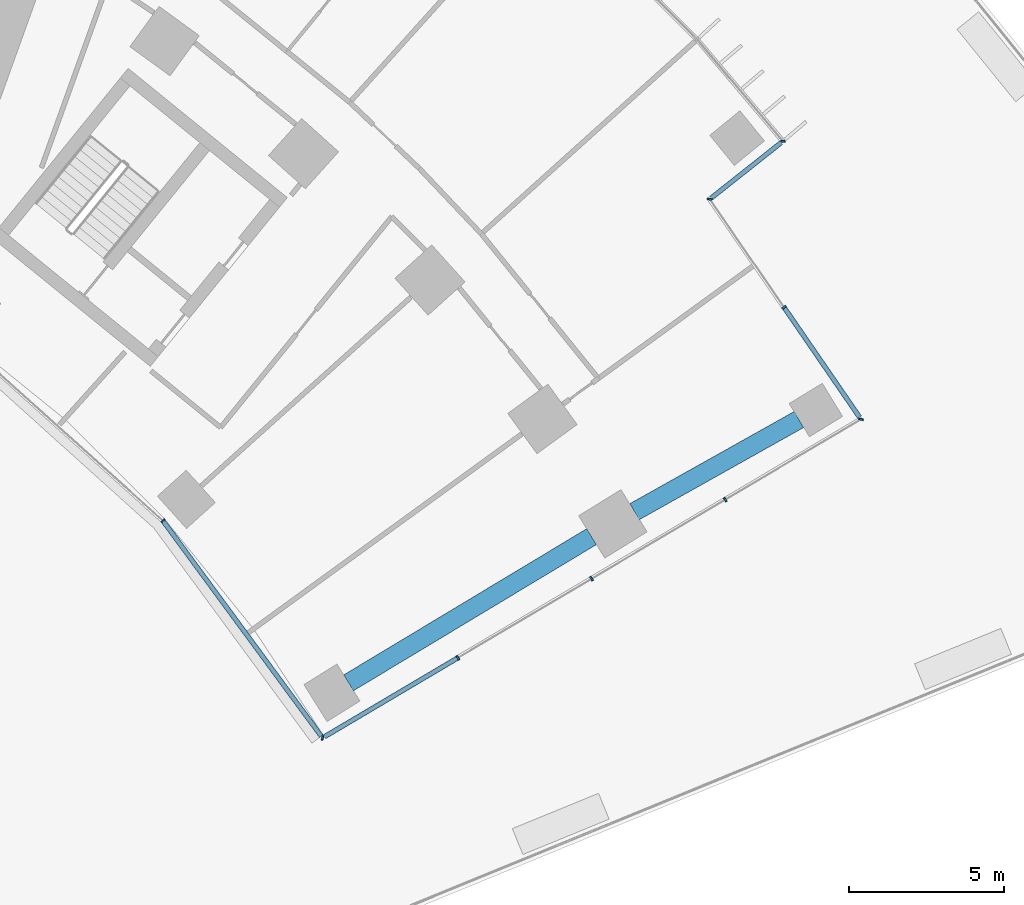
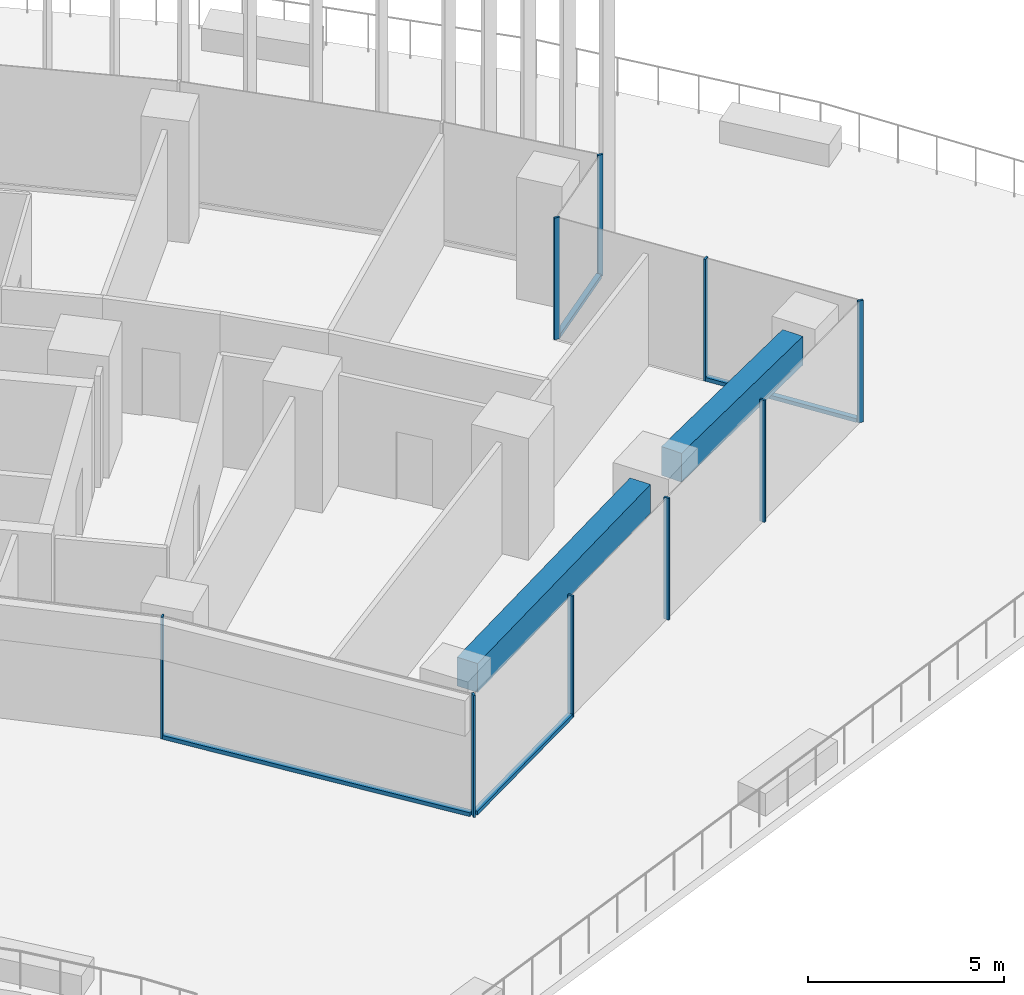
# One storey, part 8 of 24: 13 members, 2 beams, 5 elements without a shape of their own.
"""IFC4 building model written with IfcOpenShell, lengths in metres."""

from ifc_helpers import new_model, si_unit, direction, frame, origin, origin_2d, place, context, subcontext, project, spatial, rectangle, extrude, material, layer, layer_set, material_profile, profile_set, type_object, element, aggregate, save


model = new_model("IFC4")

# Units and contexts
model_context = context("Model", 3, precision=1e-05, world=origin(), true_north=direction((0.0, 1.0)))
body_context = subcontext(model_context, "Body", "Model", "MODEL_VIEW")
ifc_project = project(units=[si_unit("LENGTHUNIT", "METRE"), si_unit("AREAUNIT", "SQUARE_METRE"), si_unit("VOLUMEUNIT", "CUBIC_METRE"), si_unit("PLANEANGLEUNIT", "RADIAN"), si_unit("MASSUNIT", "GRAM", prefix="KILO")], contexts=[model_context])

# Site, building, storey
site_placement = place(None, origin())
site = spatial("IfcSite", under=ifc_project, at=site_placement, CompositionType="ELEMENT")
building_placement = place(site_placement, origin())
building = spatial("IfcBuilding", under=site, at=building_placement, Name="Stone Belt Terrace Tower", CompositionType="ELEMENT")
storey_placement = place(building_placement, frame((0.0, 0.0, 30.0)))
storey = spatial("IfcBuildingStorey", under=building, at=storey_placement, Name="L06", CompositionType="ELEMENT", Elevation=30.0)

# Curtain wall, member
ifc_material_1 = material(Name="Aluminium 6063-T6 anodised frame", Category="aluminium")
ifc_layer_1 = layer(ifc_material_1, 0.14990234375)
ifc_layer_set_1 = layer_set([ifc_layer_1], Name="CW-A unitised convex-face curtain wall")
curtain_wall_type_1 = type_object("IfcCurtainWallType", Name="CW-A unitised convex-face curtain wall", PredefinedType="NOTDEFINED", material=ifc_layer_set_1)
curtain_wall_1_placement = place(storey_placement, origin())
curtain_wall_1 = element("IfcCurtainWall", 1, at=curtain_wall_1_placement, inside=storey, type_object=curtain_wall_type_1, Name="CW-A convex face L06", PredefinedType="NOTDEFINED")
ifc_material_profile_1 = material_profile(ifc_material_1, rectangle(XDim=0.14990234375, YDim=0.06005859375, at=origin_2d()), Name="Aluminium 6063-T6 60x150")
ifc_profile_set_1 = profile_set([ifc_material_profile_1], Name="Aluminium 6063-T6 anodised frame")
member_type_1 = type_object("IfcMemberType", Name="CW-A mullion 60 x 150", PredefinedType="MULLION", material=ifc_profile_set_1)
member_1_placement = place(storey_placement, frame((52.24072265625, 41.27294921875, 0.0), z_axis=(0.0, 0.0, 1.0), x_axis=(-0.995023084308, 0.099644677203, 0.0)))
member_1 = element("IfcMember", 2, at=member_1_placement, type_object=member_type_1, Name="CW-A mullion 1", PredefinedType="MULLION", context=body_context, shape_type="SweptSolid", body=[
    extrude(rectangle(XDim=0.14990234375, YDim=0.06005859375, at=origin_2d()), origin(), (0.0, 0.0, 1.0), 3.800048828125),
])
aggregate(curtain_wall_1, [member_1])

# Curtain wall, members
ifc_layer_2 = layer(ifc_material_1, 0.14990234375)
ifc_layer_set_2 = layer_set([ifc_layer_2], Name="CW-B unitised concave-face curtain wall")
curtain_wall_type_2 = type_object("IfcCurtainWallType", Name="CW-B unitised concave-face curtain wall", PredefinedType="NOTDEFINED", material=ifc_layer_set_2)
curtain_wall_2_placement = place(storey_placement, origin())
curtain_wall_2 = element("IfcCurtainWall", 3, at=curtain_wall_2_placement, inside=storey, type_object=curtain_wall_type_2, Name="CW-B concave face L06", PredefinedType="NOTDEFINED")
ifc_material_profile_2 = material_profile(ifc_material_1, rectangle(XDim=0.14990234375, YDim=0.050048828125, at=origin_2d()), Name="Aluminium 6063-T6 50x150")
ifc_profile_set_2 = profile_set([ifc_material_profile_2], Name="Aluminium 6063-T6 anodised frame")
member_type_2 = type_object("IfcMemberType", Name="CW-B mullion 50 x 150", PredefinedType="MULLION", material=ifc_profile_set_2)
member_2_placement = place(storey_placement, frame((32.27099609375, 29.056640625, 0.0), z_axis=(0.0, 0.0, 1.0), x_axis=(0.741329775891, 0.671140941515, 0.0)))
member_2 = element("IfcMember", 4, at=member_2_placement, type_object=member_type_2, Name="CW-B mullion 10", PredefinedType="MULLION", context=body_context, shape_type="SweptSolid", body=[
    extrude(rectangle(XDim=0.14990234375, YDim=0.050048828125, at=origin_2d()), origin(), (0.0, 0.0, 1.0), 3.800048828125),
])
ifc_material_profile_3 = material_profile(ifc_material_1, rectangle(XDim=0.14990234375, YDim=0.1201171875, at=origin_2d()), Name="Aluminium 6063-T6 150x120")
ifc_profile_set_3 = profile_set([ifc_material_profile_3], Name="Aluminium 6063-T6 anodised frame")
member_type_3 = type_object("IfcMemberType", Name="CW-B transom 120 x 150", PredefinedType="USERDEFINED", material=ifc_profile_set_3)
member_3_placement = place(storey_placement, frame((32.2900390625, 29.0302734375, 0.06005859375), z_axis=(0.592180847905, -0.805805090189, 0.0), x_axis=(0.805805090189, 0.592180847905, 0.0)))
member_3 = element("IfcMember", 5, at=member_3_placement, type_object=member_type_3, Name="CW-B transom 10.1", ObjectType="TRANSOM", PredefinedType="USERDEFINED", context=body_context, shape_type="SweptSolid", body=[
    extrude(rectangle(XDim=0.14990234375, YDim=0.1201171875, at=origin_2d()), origin(), (0.0, 0.0, 1.0), 8.583984375),
])
aggregate(curtain_wall_2, [member_2, member_3])

ifc_layer_3 = layer(ifc_material_1, 0.14990234375)
ifc_layer_set_3 = layer_set([ifc_layer_3], Name="CW-C stick curtain wall, horn ends and notches")
curtain_wall_type_3 = type_object("IfcCurtainWallType", Name="CW-C stick curtain wall, horn ends and notches", PredefinedType="NOTDEFINED", material=ifc_layer_set_3)
curtain_wall_3_placement = place(storey_placement, origin())
curtain_wall_3 = element("IfcCurtainWall", 6, at=curtain_wall_3_placement, inside=storey, type_object=curtain_wall_type_3, Name="CW-C end face L06", PredefinedType="NOTDEFINED")
ifc_material_profile_4 = material_profile(ifc_material_1, rectangle(XDim=0.14990234375, YDim=0.06005859375, at=origin_2d()), Name="Aluminium 6063-T6 60x150")
ifc_profile_set_4 = profile_set([ifc_material_profile_4], Name="Aluminium 6063-T6 anodised frame")
member_type_4 = type_object("IfcMemberType", Name="CW-C mullion 60 x 150", PredefinedType="MULLION", material=ifc_profile_set_4)
member_4_placement = place(storey_placement, frame((37.4140625, 22.0576171875, 0.0), z_axis=(0.0, 0.0, 1.0), x_axis=(0.199957039009, 0.979804665508, 0.0)))
member_4 = element("IfcMember", 7, at=member_4_placement, type_object=member_type_4, Name="CW-C mullion 1", PredefinedType="MULLION", context=body_context, shape_type="SweptSolid", body=[
    extrude(rectangle(XDim=0.14990234375, YDim=0.06005859375, at=origin_2d()), origin(), (0.0, 0.0, 1.0), 3.800048828125),
])
member_5_placement = place(storey_placement, frame((41.775146484375, 24.63916015625, 0.0), z_axis=(0.0, 0.0, 1.0), x_axis=(-0.509352918793, 0.860557728521, 0.0)))
member_5 = element("IfcMember", 8, at=member_5_placement, type_object=member_type_4, Name="CW-C mullion 2", PredefinedType="MULLION", context=body_context, shape_type="SweptSolid", body=[
    extrude(rectangle(XDim=0.14990234375, YDim=0.06005859375, at=origin_2d()), origin(), (0.0, 0.0, 1.0), 3.800048828125),
])
member_6_placement = place(storey_placement, frame((46.078125, 27.185791015625, 0.0), z_axis=(0.0, 0.0, 1.0), x_axis=(-0.509352918793, 0.860557728521, 0.0)))
member_6 = element("IfcMember", 9, at=member_6_placement, type_object=member_type_4, Name="CW-C mullion 3", PredefinedType="MULLION", context=body_context, shape_type="SweptSolid", body=[
    extrude(rectangle(XDim=0.14990234375, YDim=0.06005859375, at=origin_2d()), origin(), (0.0, 0.0, 1.0), 3.800048828125),
])
member_7_placement = place(storey_placement, frame((50.380859375, 29.732666015625, 0.0), z_axis=(0.0, 0.0, 1.0), x_axis=(-0.509352918793, 0.860557728521, 0.0)))
member_7 = element("IfcMember", 10, at=member_7_placement, type_object=member_type_4, Name="CW-C mullion 4", PredefinedType="MULLION", context=body_context, shape_type="SweptSolid", body=[
    extrude(rectangle(XDim=0.14990234375, YDim=0.06005859375, at=origin_2d()), origin(), (0.0, 0.0, 1.0), 3.800048828125),
])

curtain_wall_4_placement = place(storey_placement, origin())
curtain_wall_4 = element("IfcCurtainWall", 11, at=curtain_wall_4_placement, inside=storey, type_object=curtain_wall_type_3, Name="CW-C notch face L06", PredefinedType="NOTDEFINED")
member_8_placement = place(storey_placement, frame((54.752685546875, 32.3203125, 0.0), z_axis=(0.0, 0.0, 1.0), x_axis=(-0.976519557331, 0.215428768157, 0.0)))
member_8 = element("IfcMember", 12, at=member_8_placement, type_object=member_type_4, Name="CW-C mullion 1", PredefinedType="MULLION", context=body_context, shape_type="SweptSolid", body=[
    extrude(rectangle(XDim=0.14990234375, YDim=0.06005859375, at=origin_2d()), origin(), (0.0, 0.0, 1.0), 3.800048828125),
])
member_9_placement = place(storey_placement, frame((52.275390625, 35.925048828125, 0.0), z_axis=(0.0, 0.0, 1.0), x_axis=(-0.824146991357, -0.566375967567, 0.0)))
member_9 = element("IfcMember", 13, at=member_9_placement, type_object=member_type_4, Name="CW-C mullion 2", PredefinedType="MULLION", context=body_context, shape_type="SweptSolid", body=[
    extrude(rectangle(XDim=0.14990234375, YDim=0.06005859375, at=origin_2d()), origin(), (0.0, 0.0, 1.0), 3.800048828125),
])

# Curtain wall, member
curtain_wall_5_placement = place(storey_placement, origin())
curtain_wall_5 = element("IfcCurtainWall", 14, at=curtain_wall_5_placement, inside=storey, type_object=curtain_wall_type_3, Name="CW-C notch face L06", PredefinedType="NOTDEFINED")
member_10_placement = place(storey_placement, frame((49.88330078125, 39.406005859375, 0.0), z_axis=(0.0, 0.0, 1.0), x_axis=(-0.988851375203, 0.14890586879, 0.0)))
member_10 = element("IfcMember", 15, at=member_10_placement, type_object=member_type_4, Name="CW-C mullion 1", PredefinedType="MULLION", context=body_context, shape_type="SweptSolid", body=[
    extrude(rectangle(XDim=0.14990234375, YDim=0.06005859375, at=origin_2d()), origin(), (0.0, 0.0, 1.0), 3.800048828125),
])

# Member
ifc_material_profile_5 = material_profile(ifc_material_1, rectangle(XDim=0.14990234375, YDim=0.1201171875, at=origin_2d()), Name="Aluminium 6063-T6 150x120")
ifc_profile_set_5 = profile_set([ifc_material_profile_5], Name="Aluminium 6063-T6 anodised frame")
member_type_5 = type_object("IfcMemberType", Name="CW-C transom 120 x 150", PredefinedType="USERDEFINED", material=ifc_profile_set_5)
member_11_placement = place(storey_placement, frame((37.4765625, 22.0947265625, 0.06005859375), z_axis=(0.860562168261, 0.509345417725, 0.0), x_axis=(-0.509345417725, 0.860562168261, 0.0)))
member_11 = element("IfcMember", 16, at=member_11_placement, type_object=member_type_5, Name="CW-C transom 1.1", ObjectType="TRANSOM", PredefinedType="USERDEFINED", context=body_context, shape_type="SweptSolid", body=[
    extrude(rectangle(XDim=0.14990234375, YDim=0.1201171875, at=origin_2d()), origin(), (0.0, 0.0, 1.0), 4.96533203125),
])

aggregate(curtain_wall_3, [member_4, member_5, member_6, member_7, member_11])

member_12_placement = place(storey_placement, frame((54.7099609375, 32.38232421875, 0.06005859375), z_axis=(-0.566339474571, 0.824172069135, 0.0), x_axis=(-0.824172069135, -0.566339474571, 0.0)))
member_12 = element("IfcMember", 17, at=member_12_placement, type_object=member_type_5, Name="CW-C transom 1.1", ObjectType="TRANSOM", PredefinedType="USERDEFINED", context=body_context, shape_type="SweptSolid", body=[
    extrude(rectangle(XDim=0.14990234375, YDim=0.1201171875, at=origin_2d()), origin(), (0.0, 0.0, 1.0), 4.2685546875),
])

aggregate(curtain_wall_4, [member_8, member_9, member_12])

member_13_placement = place(storey_placement, frame((49.9404296875, 39.451416015625, 0.06005859375), z_axis=(0.783966177893, 0.620803537297, 0.0), x_axis=(-0.620803537297, 0.783966177893, 0.0)))
member_13 = element("IfcMember", 18, at=member_13_placement, type_object=member_type_5, Name="CW-C transom 1.1", ObjectType="TRANSOM", PredefinedType="USERDEFINED", context=body_context, shape_type="SweptSolid", body=[
    extrude(rectangle(XDim=0.14990234375, YDim=0.1201171875, at=origin_2d()), origin(), (0.0, 0.0, 1.0), 2.859375),
])

aggregate(curtain_wall_5, [member_10, member_13])

# Beams
ifc_material_2 = material(Name="Concrete B60", Category="concrete")
ifc_material_profile_6 = material_profile(ifc_material_2, rectangle(XDim=0.60009765625, YDim=0.89990234375, at=origin_2d()), Name="RC 600x900")
ifc_profile_set_6 = profile_set([ifc_material_profile_6], Name="Concrete B60")
beam_type = type_object("IfcBeamType", Name="Edge beam RC 600x900 B60", PredefinedType="SPANDREL", material=ifc_profile_set_6)
beam_1_placement = place(storey_placement, frame((38.253662109375, 23.83203125, 3.030029296875), z_axis=(0.856900189152, 0.51548236229, 0.0), x_axis=(-0.51548236229, 0.856900189152, 0.0)))
element("IfcBeam", 19, at=beam_1_placement, inside=storey, type_object=beam_type, Name="Edge beam L06 B P to Q", PredefinedType="SPANDREL", context=body_context, shape_type="SweptSolid", body=[
    extrude(rectangle(XDim=0.60009765625, YDim=0.89990234375, at=origin_2d()), origin(), (0.0, 0.0, 1.0), 9.130859375),
])
beam_2_placement = place(storey_placement, frame((47.4619140625, 29.3427734375, 3.030029296875), z_axis=(0.872212947991, 0.489126336806, 0.0), x_axis=(-0.489126336806, 0.872212947991, 0.0)))
element("IfcBeam", 20, at=beam_2_placement, inside=storey, type_object=beam_type, Name="Edge beam L06 B Q to R", PredefinedType="SPANDREL", context=body_context, shape_type="SweptSolid", body=[
    extrude(rectangle(XDim=0.60009765625, YDim=0.89990234375, at=origin_2d()), origin(), (0.0, 0.0, 1.0), 6.069091796875),
])

save(model, "model.ifc")
